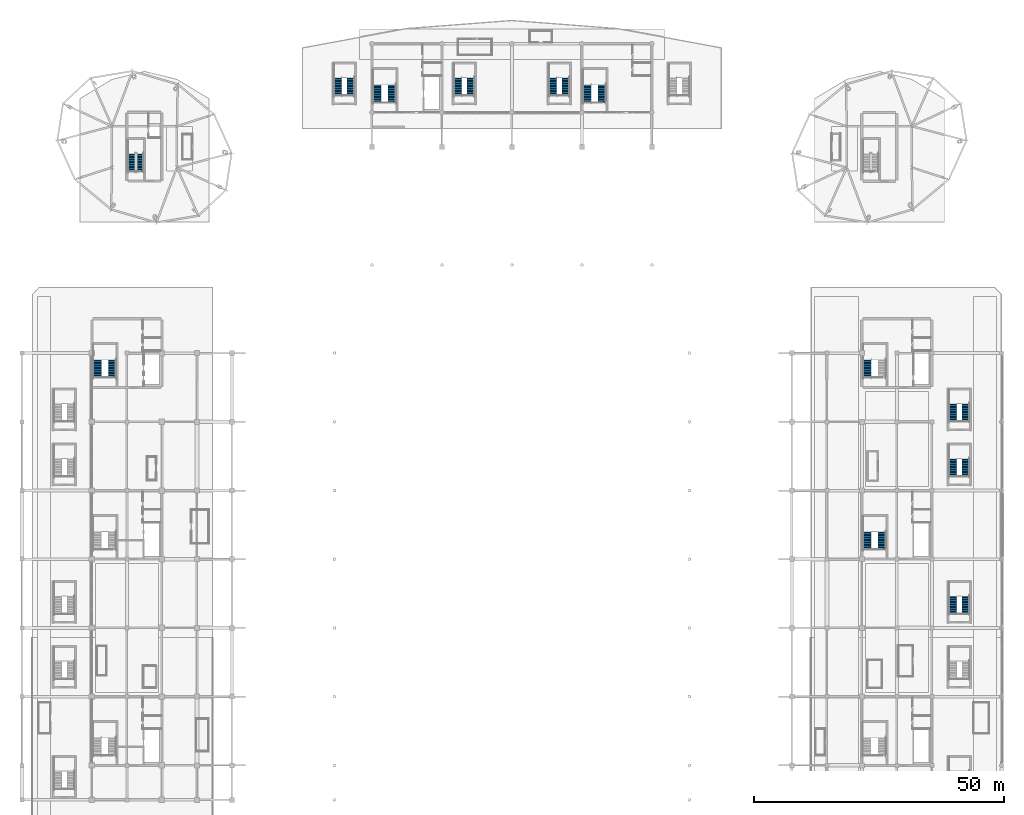
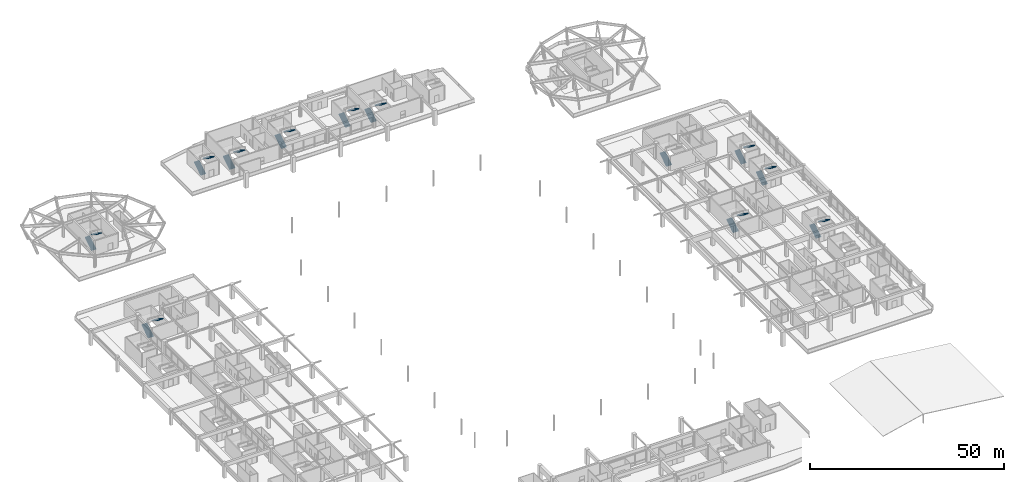
# One storey, part 77 of 91: 23 stair flights, 12 elements without a shape of their own.
"""IFC4 building model written with IfcOpenShell, lengths in metres."""

from ifc_helpers import new_model, si_unit, direction, frame, origin, place, context, subcontext, project, spatial, polyline, outline, extrude, material, type_object, element, aggregate, save


model = new_model("IFC4")

# Units and contexts
model_context = context("Model", 3, precision=1e-05, world=origin(), true_north=direction((0.0, 1.0)))
body_context = subcontext(model_context, "Body", "Model", "MODEL_VIEW")
ifc_project = project(units=[si_unit("LENGTHUNIT", "METRE"), si_unit("AREAUNIT", "SQUARE_METRE"), si_unit("VOLUMEUNIT", "CUBIC_METRE"), si_unit("PLANEANGLEUNIT", "RADIAN"), si_unit("MASSUNIT", "GRAM", prefix="KILO")], contexts=[model_context])

# Site, building, storey
site_placement = place(None, origin())
site = spatial("IfcSite", under=ifc_project, at=site_placement, CompositionType="ELEMENT")
building_placement = place(site_placement, origin())
building = spatial("IfcBuilding", under=site, at=building_placement, Name="Linyun Crest Stadium", CompositionType="ELEMENT")
storey_placement = place(building_placement, frame((0.0, 0.0, 11.39990234375)))
storey = spatial("IfcBuildingStorey", under=building, at=storey_placement, Name="L03", CompositionType="ELEMENT", Elevation=11.39990234375)

# Stair, stair flights
ifc_material_1 = material(Name="Concrete C40", Category="concrete")
stair_type = type_object("IfcStairType", Name="STA03", PredefinedType="HALF_TURN_STAIR", material=ifc_material_1)
stair_1_placement = place(storey_placement, origin())
stair_1 = element("IfcStair", 1, at=stair_1_placement, inside=storey, type_object=stair_type, Name="Evacuation stair STR-03-L03", PredefinedType="HALF_TURN_STAIR")
ifc_material_2 = material(Name="Concrete C40", Category="concrete")
stair_flight_type_1 = type_object("IfcStairFlightType", Name="STF01", PredefinedType="STRAIGHT", material=ifc_material_2)
stair_flight_1_placement = place(storey_placement, frame((-82.909912109375, 38.489990234375, 0.0), z_axis=(0.0, 0.0, 1.0), x_axis=(0.0, 1.0, 0.0)))
stair_flight_1 = element("IfcStairFlight", 2, at=stair_flight_1_placement, type_object=stair_flight_type_1, Name="STR-03-L03 flight 1", NumberOfRisers=15, NumberOfTreads=14, PredefinedType="STRAIGHT", RiserHeight=0.16, TreadLength=0.25, context=body_context, shape_type="SweptSolid", body=[
    extrude(outline(polyline([(0.0, 0.0), (0.0, 0.159912109375), (0.25, 0.159912109375), (0.25, 0.320068359375), (0.5, 0.320068359375), (0.5, 0.47998046875), (0.75, 0.47998046875), (0.75, 0.639892578125), (1.0, 0.639892578125), (1.0, 0.800048828125), (1.25, 0.800048828125), (1.25, 0.9599609375), (1.5, 0.9599609375), (1.5, 1.1201171875), (1.75, 1.1201171875), (1.75, 1.280029296875), (2.0, 1.280029296875), (2.0, 1.43994140625), (2.25, 1.43994140625), (2.25, 1.60009765625), (2.5, 1.60009765625), (2.5, 1.760009765625), (2.75, 1.760009765625), (2.75, 1.919921875), (3.0, 1.919921875), (3.0, 2.080078125), (3.25, 2.080078125), (3.25, 2.239990234375), (3.5, 2.239990234375), (3.5, 2.39990234375), (3.5, 2.0263671875), (0.333740234375, 0.0), (0.0, 0.0)])), frame((0.0, 0.824951171875, 0.0), z_axis=(0.0, -1.0, 0.0), x_axis=(1.0, 0.0, 0.0)), (0.0, 0.0, 1.0), 1.64990234375),
])
stair_flight_2_placement = place(storey_placement, frame((-79.965087890625, 41.989990234375, 2.400146484375), z_axis=(0.0, 0.0, 1.0), x_axis=(0.0, -1.0, 0.0)))
stair_flight_2 = element("IfcStairFlight", 3, at=stair_flight_2_placement, type_object=stair_flight_type_1, Name="STR-03-L03 flight 2", NumberOfRisers=15, NumberOfTreads=14, PredefinedType="STRAIGHT", RiserHeight=0.16, TreadLength=0.25, context=body_context, shape_type="SweptSolid", body=[
    extrude(outline(polyline([(0.0, 0.0), (0.0, 0.159912109375), (0.25, 0.159912109375), (0.25, 0.320068359375), (0.5, 0.320068359375), (0.5, 0.47998046875), (0.75, 0.47998046875), (0.75, 0.639892578125), (1.0, 0.639892578125), (1.0, 0.800048828125), (1.25, 0.800048828125), (1.25, 0.9599609375), (1.5, 0.9599609375), (1.5, 1.1201171875), (1.75, 1.1201171875), (1.75, 1.280029296875), (2.0, 1.280029296875), (2.0, 1.43994140625), (2.25, 1.43994140625), (2.25, 1.60009765625), (2.5, 1.60009765625), (2.5, 1.760009765625), (2.75, 1.760009765625), (2.75, 1.919921875), (3.0, 1.919921875), (3.0, 2.080078125), (3.25, 2.080078125), (3.25, 2.239990234375), (3.5, 2.239990234375), (3.5, 2.39990234375), (3.5, 2.0263671875), (0.333740234375, 0.0), (0.0, 0.0)])), frame((0.0, 0.824951171875, 0.0), z_axis=(0.0, -1.0, 0.0), x_axis=(1.0, 0.0, 0.0)), (0.0, 0.0, 1.0), 1.64990234375),
])
aggregate(stair_1, [stair_flight_1, stair_flight_2])

stair_2_placement = place(storey_placement, origin())
stair_2 = element("IfcStair", 4, at=stair_2_placement, inside=storey, type_object=stair_type, Name="Evacuation stair STR-05-L03", PredefinedType="HALF_TURN_STAIR")
stair_flight_3_placement = place(storey_placement, frame((71.06494140625, 4.114990234375, 0.0), z_axis=(0.0, 0.0, 1.0), x_axis=(0.0, 1.0, 0.0)))
stair_flight_3 = element("IfcStairFlight", 5, at=stair_flight_3_placement, type_object=stair_flight_type_1, Name="STR-05-L03 flight 1", NumberOfRisers=15, NumberOfTreads=14, PredefinedType="STRAIGHT", RiserHeight=0.16, TreadLength=0.25, context=body_context, shape_type="SweptSolid", body=[
    extrude(outline(polyline([(0.0, 0.0), (0.0, 0.159912109375), (0.25, 0.159912109375), (0.25, 0.320068359375), (0.5, 0.320068359375), (0.5, 0.47998046875), (0.75, 0.47998046875), (0.75, 0.639892578125), (1.0, 0.639892578125), (1.0, 0.800048828125), (1.25, 0.800048828125), (1.25, 0.9599609375), (1.5, 0.9599609375), (1.5, 1.1201171875), (1.75, 1.1201171875), (1.75, 1.280029296875), (2.0, 1.280029296875), (2.0, 1.43994140625), (2.25, 1.43994140625), (2.25, 1.60009765625), (2.5, 1.60009765625), (2.5, 1.760009765625), (2.75, 1.760009765625), (2.75, 1.919921875), (3.0, 1.919921875), (3.0, 2.080078125), (3.25, 2.080078125), (3.25, 2.239990234375), (3.5, 2.239990234375), (3.5, 2.39990234375), (3.5, 2.0263671875), (0.333740234375, 0.0), (0.0, 0.0)])), frame((0.0, 0.824951171875, 0.0), z_axis=(0.0, -1.0, 0.0), x_axis=(1.0, 0.0, 0.0)), (0.0, 0.0, 1.0), 1.64990234375),
])
stair_flight_4_placement = place(storey_placement, frame((74.034912109375, 7.614990234375, 2.400146484375), z_axis=(0.0, 0.0, 1.0), x_axis=(0.0, -1.0, 0.0)))
stair_flight_4 = element("IfcStairFlight", 6, at=stair_flight_4_placement, type_object=stair_flight_type_1, Name="STR-05-L03 flight 2", NumberOfRisers=15, NumberOfTreads=14, PredefinedType="STRAIGHT", RiserHeight=0.16, TreadLength=0.25, context=body_context, shape_type="SweptSolid", body=[
    extrude(outline(polyline([(0.0, 0.0), (0.0, 0.159912109375), (0.25, 0.159912109375), (0.25, 0.320068359375), (0.5, 0.320068359375), (0.5, 0.47998046875), (0.75, 0.47998046875), (0.75, 0.639892578125), (1.0, 0.639892578125), (1.0, 0.800048828125), (1.25, 0.800048828125), (1.25, 0.9599609375), (1.5, 0.9599609375), (1.5, 1.1201171875), (1.75, 1.1201171875), (1.75, 1.280029296875), (2.0, 1.280029296875), (2.0, 1.43994140625), (2.25, 1.43994140625), (2.25, 1.60009765625), (2.5, 1.60009765625), (2.5, 1.760009765625), (2.75, 1.760009765625), (2.75, 1.919921875), (3.0, 1.919921875), (3.0, 2.080078125), (3.25, 2.080078125), (3.25, 2.239990234375), (3.5, 2.239990234375), (3.5, 2.39990234375), (3.5, 2.0263671875), (0.333740234375, 0.0), (0.0, 0.0)])), frame((0.0, 0.824951171875, 0.0), z_axis=(0.0, -1.0, 0.0), x_axis=(1.0, 0.0, 0.0)), (0.0, 0.0, 1.0), 1.64990234375),
])
aggregate(stair_2, [stair_flight_3, stair_flight_4])

# Stair, stair flight
stair_3_placement = place(storey_placement, origin())
stair_3 = element("IfcStair", 7, at=stair_3_placement, inside=storey, type_object=stair_type, Name="Evacuation stair STR-06-L03", PredefinedType="HALF_TURN_STAIR")
stair_flight_5_placement = place(storey_placement, frame((71.090087890625, 38.489990234375, 0.0), z_axis=(0.0, 0.0, 1.0), x_axis=(0.0, 1.0, 0.0)))
stair_flight_5 = element("IfcStairFlight", 8, at=stair_flight_5_placement, type_object=stair_flight_type_1, Name="STR-06-L03 flight 1", NumberOfRisers=15, NumberOfTreads=14, PredefinedType="STRAIGHT", RiserHeight=0.16, TreadLength=0.25, context=body_context, shape_type="SweptSolid", body=[
    extrude(outline(polyline([(0.0, 0.0), (0.0, 0.159912109375), (0.25, 0.159912109375), (0.25, 0.320068359375), (0.5, 0.320068359375), (0.5, 0.47998046875), (0.75, 0.47998046875), (0.75, 0.639892578125), (1.0, 0.639892578125), (1.0, 0.800048828125), (1.25, 0.800048828125), (1.25, 0.9599609375), (1.5, 0.9599609375), (1.5, 1.1201171875), (1.75, 1.1201171875), (1.75, 1.280029296875), (2.0, 1.280029296875), (2.0, 1.43994140625), (2.25, 1.43994140625), (2.25, 1.60009765625), (2.5, 1.60009765625), (2.5, 1.760009765625), (2.75, 1.760009765625), (2.75, 1.919921875), (3.0, 1.919921875), (3.0, 2.080078125), (3.25, 2.080078125), (3.25, 2.239990234375), (3.5, 2.239990234375), (3.5, 2.39990234375), (3.5, 2.0263671875), (0.333740234375, 0.0), (0.0, 0.0)])), frame((0.0, 0.824951171875, 0.0), z_axis=(0.0, -1.0, 0.0), x_axis=(1.0, 0.0, 0.0)), (0.0, 0.0, 1.0), 1.64990234375),
])
aggregate(stair_3, [stair_flight_5])

# Stair, stair flights
stair_4_placement = place(storey_placement, origin())
stair_4 = element("IfcStair", 9, at=stair_4_placement, inside=storey, type_object=stair_type, Name="Evacuation stair STR-07-L03", PredefinedType="HALF_TURN_STAIR")
stair_flight_6_placement = place(storey_placement, frame((-26.9599609375, 93.489990234375, 0.0), z_axis=(0.0, 0.0, 1.0), x_axis=(0.0, 1.0, 0.0)))
stair_flight_6 = element("IfcStairFlight", 10, at=stair_flight_6_placement, type_object=stair_flight_type_1, Name="STR-07-L03 flight 1", NumberOfRisers=15, NumberOfTreads=14, PredefinedType="STRAIGHT", RiserHeight=0.16, TreadLength=0.25, context=body_context, shape_type="SweptSolid", body=[
    extrude(outline(polyline([(0.0, 0.0), (0.0, 0.159912109375), (0.25, 0.159912109375), (0.25, 0.320068359375), (0.5, 0.320068359375), (0.5, 0.47998046875), (0.75, 0.47998046875), (0.75, 0.639892578125), (1.0, 0.639892578125), (1.0, 0.800048828125), (1.25, 0.800048828125), (1.25, 0.9599609375), (1.5, 0.9599609375), (1.5, 1.1201171875), (1.75, 1.1201171875), (1.75, 1.280029296875), (2.0, 1.280029296875), (2.0, 1.43994140625), (2.25, 1.43994140625), (2.25, 1.60009765625), (2.5, 1.60009765625), (2.5, 1.760009765625), (2.75, 1.760009765625), (2.75, 1.919921875), (3.0, 1.919921875), (3.0, 2.080078125), (3.25, 2.080078125), (3.25, 2.239990234375), (3.5, 2.239990234375), (3.5, 2.39990234375), (3.5, 2.0263671875), (0.333740234375, 0.0), (0.0, 0.0)])), frame((0.0, 0.824951171875, 0.0), z_axis=(0.0, -1.0, 0.0), x_axis=(1.0, 0.0, 0.0)), (0.0, 0.0, 1.0), 1.64990234375),
])
stair_flight_7_placement = place(storey_placement, frame((-23.965087890625, 96.989990234375, 2.400146484375), z_axis=(0.0, 0.0, 1.0), x_axis=(0.0, -1.0, 0.0)))
stair_flight_7 = element("IfcStairFlight", 11, at=stair_flight_7_placement, type_object=stair_flight_type_1, Name="STR-07-L03 flight 2", NumberOfRisers=15, NumberOfTreads=14, PredefinedType="STRAIGHT", RiserHeight=0.16, TreadLength=0.25, context=body_context, shape_type="SweptSolid", body=[
    extrude(outline(polyline([(0.0, 0.0), (0.0, 0.159912109375), (0.25, 0.159912109375), (0.25, 0.320068359375), (0.5, 0.320068359375), (0.5, 0.47998046875), (0.75, 0.47998046875), (0.75, 0.639892578125), (1.0, 0.639892578125), (1.0, 0.800048828125), (1.25, 0.800048828125), (1.25, 0.9599609375), (1.5, 0.9599609375), (1.5, 1.1201171875), (1.75, 1.1201171875), (1.75, 1.280029296875), (2.0, 1.280029296875), (2.0, 1.43994140625), (2.25, 1.43994140625), (2.25, 1.60009765625), (2.5, 1.60009765625), (2.5, 1.760009765625), (2.75, 1.760009765625), (2.75, 1.919921875), (3.0, 1.919921875), (3.0, 2.080078125), (3.25, 2.080078125), (3.25, 2.239990234375), (3.5, 2.239990234375), (3.5, 2.39990234375), (3.5, 2.0263671875), (0.333740234375, 0.0), (0.0, 0.0)])), frame((0.0, 0.824951171875, 0.0), z_axis=(0.0, -1.0, 0.0), x_axis=(1.0, 0.0, 0.0)), (0.0, 0.0, 1.0), 1.64990234375),
])
aggregate(stair_4, [stair_flight_6, stair_flight_7])

stair_5_placement = place(storey_placement, origin())
stair_5 = element("IfcStair", 12, at=stair_5_placement, inside=storey, type_object=stair_type, Name="Evacuation stair STR-08-L03", PredefinedType="HALF_TURN_STAIR")
stair_flight_8_placement = place(storey_placement, frame((15.06494140625, 93.489990234375, 0.0), z_axis=(0.0, 0.0, 1.0), x_axis=(0.0, 1.0, 0.0)))
stair_flight_8 = element("IfcStairFlight", 13, at=stair_flight_8_placement, type_object=stair_flight_type_1, Name="STR-08-L03 flight 1", NumberOfRisers=15, NumberOfTreads=14, PredefinedType="STRAIGHT", RiserHeight=0.16, TreadLength=0.25, context=body_context, shape_type="SweptSolid", body=[
    extrude(outline(polyline([(0.0, 0.0), (0.0, 0.159912109375), (0.25, 0.159912109375), (0.25, 0.320068359375), (0.5, 0.320068359375), (0.5, 0.47998046875), (0.75, 0.47998046875), (0.75, 0.639892578125), (1.0, 0.639892578125), (1.0, 0.800048828125), (1.25, 0.800048828125), (1.25, 0.9599609375), (1.5, 0.9599609375), (1.5, 1.1201171875), (1.75, 1.1201171875), (1.75, 1.280029296875), (2.0, 1.280029296875), (2.0, 1.43994140625), (2.25, 1.43994140625), (2.25, 1.60009765625), (2.5, 1.60009765625), (2.5, 1.760009765625), (2.75, 1.760009765625), (2.75, 1.919921875), (3.0, 1.919921875), (3.0, 2.080078125), (3.25, 2.080078125), (3.25, 2.239990234375), (3.5, 2.239990234375), (3.5, 2.39990234375), (3.5, 2.0263671875), (0.333740234375, 0.0), (0.0, 0.0)])), frame((0.0, 0.824951171875, 0.0), z_axis=(0.0, -1.0, 0.0), x_axis=(1.0, 0.0, 0.0)), (0.0, 0.0, 1.0), 1.64990234375),
])
stair_flight_9_placement = place(storey_placement, frame((18.034912109375, 96.989990234375, 2.400146484375), z_axis=(0.0, 0.0, 1.0), x_axis=(0.0, -1.0, 0.0)))
stair_flight_9 = element("IfcStairFlight", 14, at=stair_flight_9_placement, type_object=stair_flight_type_1, Name="STR-08-L03 flight 2", NumberOfRisers=15, NumberOfTreads=14, PredefinedType="STRAIGHT", RiserHeight=0.16, TreadLength=0.25, context=body_context, shape_type="SweptSolid", body=[
    extrude(outline(polyline([(0.0, 0.0), (0.0, 0.159912109375), (0.25, 0.159912109375), (0.25, 0.320068359375), (0.5, 0.320068359375), (0.5, 0.47998046875), (0.75, 0.47998046875), (0.75, 0.639892578125), (1.0, 0.639892578125), (1.0, 0.800048828125), (1.25, 0.800048828125), (1.25, 0.9599609375), (1.5, 0.9599609375), (1.5, 1.1201171875), (1.75, 1.1201171875), (1.75, 1.280029296875), (2.0, 1.280029296875), (2.0, 1.43994140625), (2.25, 1.43994140625), (2.25, 1.60009765625), (2.5, 1.60009765625), (2.5, 1.760009765625), (2.75, 1.760009765625), (2.75, 1.919921875), (3.0, 1.919921875), (3.0, 2.080078125), (3.25, 2.080078125), (3.25, 2.239990234375), (3.5, 2.239990234375), (3.5, 2.39990234375), (3.5, 2.0263671875), (0.333740234375, 0.0), (0.0, 0.0)])), frame((0.0, 0.824951171875, 0.0), z_axis=(0.0, -1.0, 0.0), x_axis=(1.0, 0.0, 0.0)), (0.0, 0.0, 1.0), 1.64990234375),
])
aggregate(stair_5, [stair_flight_8, stair_flight_9])

stair_6_placement = place(storey_placement, origin())
stair_6 = element("IfcStair", 15, at=stair_6_placement, inside=storey, type_object=stair_type, Name="Vomitory evacuation stair STR-20-L03", PredefinedType="HALF_TURN_STAIR")
ifc_material_3 = material(Name="Concrete C40", Category="concrete")
stair_flight_type_2 = type_object("IfcStairFlightType", Name="STF02", PredefinedType="STRAIGHT", material=ifc_material_3)
stair_flight_10_placement = place(storey_placement, frame((88.215087890625, -8.780029296875, 0.0), z_axis=(0.0, 0.0, 1.0), x_axis=(0.0, 1.0, 0.0)))
stair_flight_10 = element("IfcStairFlight", 16, at=stair_flight_10_placement, type_object=stair_flight_type_2, Name="STR-20-L03 flight 1", NumberOfRisers=15, NumberOfTreads=14, PredefinedType="STRAIGHT", RiserHeight=0.16, TreadLength=0.25, context=body_context, shape_type="SweptSolid", body=[
    extrude(outline(polyline([(0.0, 0.0), (0.0, 0.159912109375), (0.25, 0.159912109375), (0.25, 0.320068359375), (0.5, 0.320068359375), (0.5, 0.47998046875), (0.75, 0.47998046875), (0.75, 0.639892578125), (1.0, 0.639892578125), (1.0, 0.800048828125), (1.25, 0.800048828125), (1.25, 0.9599609375), (1.5, 0.9599609375), (1.5, 1.1201171875), (1.75, 1.1201171875), (1.75, 1.280029296875), (2.0, 1.280029296875), (2.0, 1.43994140625), (2.25, 1.43994140625), (2.25, 1.60009765625), (2.5, 1.60009765625), (2.5, 1.760009765625), (2.75, 1.760009765625), (2.75, 1.919921875), (3.0, 1.919921875), (3.0, 2.080078125), (3.25, 2.080078125), (3.25, 2.239990234375), (3.5, 2.239990234375), (3.5, 2.39990234375), (3.5, 2.0263671875), (0.333740234375, 0.0), (0.0, 0.0)])), frame((0.0, 0.77490234375, 0.0), z_axis=(0.0, -1.0, 0.0), x_axis=(1.0, 0.0, 0.0)), (0.0, 0.0, 1.0), 1.550048828125),
])
stair_flight_11_placement = place(storey_placement, frame((90.784912109375, -5.280029296875, 2.400146484375), z_axis=(0.0, 0.0, 1.0), x_axis=(0.0, -1.0, 0.0)))
stair_flight_11 = element("IfcStairFlight", 17, at=stair_flight_11_placement, type_object=stair_flight_type_2, Name="STR-20-L03 flight 2", NumberOfRisers=15, NumberOfTreads=14, PredefinedType="STRAIGHT", RiserHeight=0.16, TreadLength=0.25, context=body_context, shape_type="SweptSolid", body=[
    extrude(outline(polyline([(0.0, 0.0), (0.0, 0.159912109375), (0.25, 0.159912109375), (0.25, 0.320068359375), (0.5, 0.320068359375), (0.5, 0.47998046875), (0.75, 0.47998046875), (0.75, 0.639892578125), (1.0, 0.639892578125), (1.0, 0.800048828125), (1.25, 0.800048828125), (1.25, 0.9599609375), (1.5, 0.9599609375), (1.5, 1.1201171875), (1.75, 1.1201171875), (1.75, 1.280029296875), (2.0, 1.280029296875), (2.0, 1.43994140625), (2.25, 1.43994140625), (2.25, 1.60009765625), (2.5, 1.60009765625), (2.5, 1.760009765625), (2.75, 1.760009765625), (2.75, 1.919921875), (3.0, 1.919921875), (3.0, 2.080078125), (3.25, 2.080078125), (3.25, 2.239990234375), (3.5, 2.239990234375), (3.5, 2.39990234375), (3.5, 2.0263671875), (0.333740234375, 0.0), (0.0, 0.0)])), frame((0.0, 0.77490234375, 0.0), z_axis=(0.0, -1.0, 0.0), x_axis=(1.0, 0.0, 0.0)), (0.0, 0.0, 1.0), 1.550048828125),
])
aggregate(stair_6, [stair_flight_10, stair_flight_11])

stair_7_placement = place(storey_placement, origin())
stair_7 = element("IfcStair", 18, at=stair_7_placement, inside=storey, type_object=stair_type, Name="Vomitory evacuation stair STR-21-L03", PredefinedType="HALF_TURN_STAIR")
stair_flight_12_placement = place(storey_placement, frame((88.215087890625, 18.719970703125, 0.0), z_axis=(0.0, 0.0, 1.0), x_axis=(0.0, 1.0, 0.0)))
stair_flight_12 = element("IfcStairFlight", 19, at=stair_flight_12_placement, type_object=stair_flight_type_2, Name="STR-21-L03 flight 1", NumberOfRisers=15, NumberOfTreads=14, PredefinedType="STRAIGHT", RiserHeight=0.16, TreadLength=0.25, context=body_context, shape_type="SweptSolid", body=[
    extrude(outline(polyline([(0.0, 0.0), (0.0, 0.159912109375), (0.25, 0.159912109375), (0.25, 0.320068359375), (0.5, 0.320068359375), (0.5, 0.47998046875), (0.75, 0.47998046875), (0.75, 0.639892578125), (1.0, 0.639892578125), (1.0, 0.800048828125), (1.25, 0.800048828125), (1.25, 0.9599609375), (1.5, 0.9599609375), (1.5, 1.1201171875), (1.75, 1.1201171875), (1.75, 1.280029296875), (2.0, 1.280029296875), (2.0, 1.43994140625), (2.25, 1.43994140625), (2.25, 1.60009765625), (2.5, 1.60009765625), (2.5, 1.760009765625), (2.75, 1.760009765625), (2.75, 1.919921875), (3.0, 1.919921875), (3.0, 2.080078125), (3.25, 2.080078125), (3.25, 2.239990234375), (3.5, 2.239990234375), (3.5, 2.39990234375), (3.5, 2.0263671875), (0.333740234375, 0.0), (0.0, 0.0)])), frame((0.0, 0.77490234375, 0.0), z_axis=(0.0, -1.0, 0.0), x_axis=(1.0, 0.0, 0.0)), (0.0, 0.0, 1.0), 1.550048828125),
])
stair_flight_13_placement = place(storey_placement, frame((90.784912109375, 22.219970703125, 2.400146484375), z_axis=(0.0, 0.0, 1.0), x_axis=(0.0, -1.0, 0.0)))
stair_flight_13 = element("IfcStairFlight", 20, at=stair_flight_13_placement, type_object=stair_flight_type_2, Name="STR-21-L03 flight 2", NumberOfRisers=15, NumberOfTreads=14, PredefinedType="STRAIGHT", RiserHeight=0.16, TreadLength=0.25, context=body_context, shape_type="SweptSolid", body=[
    extrude(outline(polyline([(0.0, 0.0), (0.0, 0.159912109375), (0.25, 0.159912109375), (0.25, 0.320068359375), (0.5, 0.320068359375), (0.5, 0.47998046875), (0.75, 0.47998046875), (0.75, 0.639892578125), (1.0, 0.639892578125), (1.0, 0.800048828125), (1.25, 0.800048828125), (1.25, 0.9599609375), (1.5, 0.9599609375), (1.5, 1.1201171875), (1.75, 1.1201171875), (1.75, 1.280029296875), (2.0, 1.280029296875), (2.0, 1.43994140625), (2.25, 1.43994140625), (2.25, 1.60009765625), (2.5, 1.60009765625), (2.5, 1.760009765625), (2.75, 1.760009765625), (2.75, 1.919921875), (3.0, 1.919921875), (3.0, 2.080078125), (3.25, 2.080078125), (3.25, 2.239990234375), (3.5, 2.239990234375), (3.5, 2.39990234375), (3.5, 2.0263671875), (0.333740234375, 0.0), (0.0, 0.0)])), frame((0.0, 0.77490234375, 0.0), z_axis=(0.0, -1.0, 0.0), x_axis=(1.0, 0.0, 0.0)), (0.0, 0.0, 1.0), 1.550048828125),
])
aggregate(stair_7, [stair_flight_12, stair_flight_13])

stair_8_placement = place(storey_placement, origin())
stair_8 = element("IfcStair", 21, at=stair_8_placement, inside=storey, type_object=stair_type, Name="Vomitory evacuation stair STR-22-L03", PredefinedType="HALF_TURN_STAIR")
stair_flight_14_placement = place(storey_placement, frame((88.215087890625, 29.719970703125, 0.0), z_axis=(0.0, 0.0, 1.0), x_axis=(0.0, 1.0, 0.0)))
stair_flight_14 = element("IfcStairFlight", 22, at=stair_flight_14_placement, type_object=stair_flight_type_2, Name="STR-22-L03 flight 1", NumberOfRisers=15, NumberOfTreads=14, PredefinedType="STRAIGHT", RiserHeight=0.16, TreadLength=0.25, context=body_context, shape_type="SweptSolid", body=[
    extrude(outline(polyline([(0.0, 0.0), (0.0, 0.159912109375), (0.25, 0.159912109375), (0.25, 0.320068359375), (0.5, 0.320068359375), (0.5, 0.47998046875), (0.75, 0.47998046875), (0.75, 0.639892578125), (1.0, 0.639892578125), (1.0, 0.800048828125), (1.25, 0.800048828125), (1.25, 0.9599609375), (1.5, 0.9599609375), (1.5, 1.1201171875), (1.75, 1.1201171875), (1.75, 1.280029296875), (2.0, 1.280029296875), (2.0, 1.43994140625), (2.25, 1.43994140625), (2.25, 1.60009765625), (2.5, 1.60009765625), (2.5, 1.760009765625), (2.75, 1.760009765625), (2.75, 1.919921875), (3.0, 1.919921875), (3.0, 2.080078125), (3.25, 2.080078125), (3.25, 2.239990234375), (3.5, 2.239990234375), (3.5, 2.39990234375), (3.5, 2.0263671875), (0.333740234375, 0.0), (0.0, 0.0)])), frame((0.0, 0.77490234375, 0.0), z_axis=(0.0, -1.0, 0.0), x_axis=(1.0, 0.0, 0.0)), (0.0, 0.0, 1.0), 1.550048828125),
])
stair_flight_15_placement = place(storey_placement, frame((90.784912109375, 33.219970703125, 2.400146484375), z_axis=(0.0, 0.0, 1.0), x_axis=(0.0, -1.0, 0.0)))
stair_flight_15 = element("IfcStairFlight", 23, at=stair_flight_15_placement, type_object=stair_flight_type_2, Name="STR-22-L03 flight 2", NumberOfRisers=15, NumberOfTreads=14, PredefinedType="STRAIGHT", RiserHeight=0.16, TreadLength=0.25, context=body_context, shape_type="SweptSolid", body=[
    extrude(outline(polyline([(0.0, 0.0), (0.0, 0.159912109375), (0.25, 0.159912109375), (0.25, 0.320068359375), (0.5, 0.320068359375), (0.5, 0.47998046875), (0.75, 0.47998046875), (0.75, 0.639892578125), (1.0, 0.639892578125), (1.0, 0.800048828125), (1.25, 0.800048828125), (1.25, 0.9599609375), (1.5, 0.9599609375), (1.5, 1.1201171875), (1.75, 1.1201171875), (1.75, 1.280029296875), (2.0, 1.280029296875), (2.0, 1.43994140625), (2.25, 1.43994140625), (2.25, 1.60009765625), (2.5, 1.60009765625), (2.5, 1.760009765625), (2.75, 1.760009765625), (2.75, 1.919921875), (3.0, 1.919921875), (3.0, 2.080078125), (3.25, 2.080078125), (3.25, 2.239990234375), (3.5, 2.239990234375), (3.5, 2.39990234375), (3.5, 2.0263671875), (0.333740234375, 0.0), (0.0, 0.0)])), frame((0.0, 0.77490234375, 0.0), z_axis=(0.0, -1.0, 0.0), x_axis=(1.0, 0.0, 0.0)), (0.0, 0.0, 1.0), 1.550048828125),
])
aggregate(stair_8, [stair_flight_14, stair_flight_15])

stair_9_placement = place(storey_placement, origin())
stair_9 = element("IfcStair", 24, at=stair_9_placement, inside=storey, type_object=stair_type, Name="Vomitory evacuation stair STR-23-L03", PredefinedType="HALF_TURN_STAIR")
stair_flight_16_placement = place(storey_placement, frame((-34.784912109375, 94.919921875, 0.0), z_axis=(0.0, 0.0, 1.0), x_axis=(0.0, 1.0, 0.0)))
stair_flight_16 = element("IfcStairFlight", 25, at=stair_flight_16_placement, type_object=stair_flight_type_2, Name="STR-23-L03 flight 1", NumberOfRisers=15, NumberOfTreads=14, PredefinedType="STRAIGHT", RiserHeight=0.16, TreadLength=0.25, context=body_context, shape_type="SweptSolid", body=[
    extrude(outline(polyline([(0.0, 0.0), (0.0, 0.159912109375), (0.25, 0.159912109375), (0.25, 0.320068359375), (0.5, 0.320068359375), (0.5, 0.47998046875), (0.75, 0.47998046875), (0.75, 0.639892578125), (1.0, 0.639892578125), (1.0, 0.800048828125), (1.25, 0.800048828125), (1.25, 0.9599609375), (1.5, 0.9599609375), (1.5, 1.1201171875), (1.75, 1.1201171875), (1.75, 1.280029296875), (2.0, 1.280029296875), (2.0, 1.43994140625), (2.25, 1.43994140625), (2.25, 1.60009765625), (2.5, 1.60009765625), (2.5, 1.760009765625), (2.75, 1.760009765625), (2.75, 1.919921875), (3.0, 1.919921875), (3.0, 2.080078125), (3.25, 2.080078125), (3.25, 2.239990234375), (3.5, 2.239990234375), (3.5, 2.39990234375), (3.5, 2.0263671875), (0.333740234375, 0.0), (0.0, 0.0)])), frame((0.0, 0.77490234375, 0.0), z_axis=(0.0, -1.0, 0.0), x_axis=(1.0, 0.0, 0.0)), (0.0, 0.0, 1.0), 1.550048828125),
])
stair_flight_17_placement = place(storey_placement, frame((-32.215087890625, 98.419921875, 2.400146484375), z_axis=(0.0, 0.0, 1.0), x_axis=(0.0, -1.0, 0.0)))
stair_flight_17 = element("IfcStairFlight", 26, at=stair_flight_17_placement, type_object=stair_flight_type_2, Name="STR-23-L03 flight 2", NumberOfRisers=15, NumberOfTreads=14, PredefinedType="STRAIGHT", RiserHeight=0.16, TreadLength=0.25, context=body_context, shape_type="SweptSolid", body=[
    extrude(outline(polyline([(0.0, 0.0), (0.0, 0.159912109375), (0.25, 0.159912109375), (0.25, 0.320068359375), (0.5, 0.320068359375), (0.5, 0.47998046875), (0.75, 0.47998046875), (0.75, 0.639892578125), (1.0, 0.639892578125), (1.0, 0.800048828125), (1.25, 0.800048828125), (1.25, 0.9599609375), (1.5, 0.9599609375), (1.5, 1.1201171875), (1.75, 1.1201171875), (1.75, 1.280029296875), (2.0, 1.280029296875), (2.0, 1.43994140625), (2.25, 1.43994140625), (2.25, 1.60009765625), (2.5, 1.60009765625), (2.5, 1.760009765625), (2.75, 1.760009765625), (2.75, 1.919921875), (3.0, 1.919921875), (3.0, 2.080078125), (3.25, 2.080078125), (3.25, 2.239990234375), (3.5, 2.239990234375), (3.5, 2.39990234375), (3.5, 2.0263671875), (0.333740234375, 0.0), (0.0, 0.0)])), frame((0.0, 0.77490234375, 0.0), z_axis=(0.0, -1.0, 0.0), x_axis=(1.0, 0.0, 0.0)), (0.0, 0.0, 1.0), 1.550048828125),
])
aggregate(stair_9, [stair_flight_16, stair_flight_17])

stair_10_placement = place(storey_placement, origin())
stair_10 = element("IfcStair", 27, at=stair_10_placement, inside=storey, type_object=stair_type, Name="Vomitory evacuation stair STR-24-L03", PredefinedType="HALF_TURN_STAIR")
stair_flight_18_placement = place(storey_placement, frame((-10.784912109375, 94.919921875, 0.0), z_axis=(0.0, 0.0, 1.0), x_axis=(0.0, 1.0, 0.0)))
stair_flight_18 = element("IfcStairFlight", 28, at=stair_flight_18_placement, type_object=stair_flight_type_2, Name="STR-24-L03 flight 1", NumberOfRisers=15, NumberOfTreads=14, PredefinedType="STRAIGHT", RiserHeight=0.16, TreadLength=0.25, context=body_context, shape_type="SweptSolid", body=[
    extrude(outline(polyline([(0.0, 0.0), (0.0, 0.159912109375), (0.25, 0.159912109375), (0.25, 0.320068359375), (0.5, 0.320068359375), (0.5, 0.47998046875), (0.75, 0.47998046875), (0.75, 0.639892578125), (1.0, 0.639892578125), (1.0, 0.800048828125), (1.25, 0.800048828125), (1.25, 0.9599609375), (1.5, 0.9599609375), (1.5, 1.1201171875), (1.75, 1.1201171875), (1.75, 1.280029296875), (2.0, 1.280029296875), (2.0, 1.43994140625), (2.25, 1.43994140625), (2.25, 1.60009765625), (2.5, 1.60009765625), (2.5, 1.760009765625), (2.75, 1.760009765625), (2.75, 1.919921875), (3.0, 1.919921875), (3.0, 2.080078125), (3.25, 2.080078125), (3.25, 2.239990234375), (3.5, 2.239990234375), (3.5, 2.39990234375), (3.5, 2.0263671875), (0.333740234375, 0.0), (0.0, 0.0)])), frame((0.0, 0.77490234375, 0.0), z_axis=(0.0, -1.0, 0.0), x_axis=(1.0, 0.0, 0.0)), (0.0, 0.0, 1.0), 1.550048828125),
])
stair_flight_19_placement = place(storey_placement, frame((-8.215087890625, 98.419921875, 2.400146484375), z_axis=(0.0, 0.0, 1.0), x_axis=(0.0, -1.0, 0.0)))
stair_flight_19 = element("IfcStairFlight", 29, at=stair_flight_19_placement, type_object=stair_flight_type_2, Name="STR-24-L03 flight 2", NumberOfRisers=15, NumberOfTreads=14, PredefinedType="STRAIGHT", RiserHeight=0.16, TreadLength=0.25, context=body_context, shape_type="SweptSolid", body=[
    extrude(outline(polyline([(0.0, 0.0), (0.0, 0.159912109375), (0.25, 0.159912109375), (0.25, 0.320068359375), (0.5, 0.320068359375), (0.5, 0.47998046875), (0.75, 0.47998046875), (0.75, 0.639892578125), (1.0, 0.639892578125), (1.0, 0.800048828125), (1.25, 0.800048828125), (1.25, 0.9599609375), (1.5, 0.9599609375), (1.5, 1.1201171875), (1.75, 1.1201171875), (1.75, 1.280029296875), (2.0, 1.280029296875), (2.0, 1.43994140625), (2.25, 1.43994140625), (2.25, 1.60009765625), (2.5, 1.60009765625), (2.5, 1.760009765625), (2.75, 1.760009765625), (2.75, 1.919921875), (3.0, 1.919921875), (3.0, 2.080078125), (3.25, 2.080078125), (3.25, 2.239990234375), (3.5, 2.239990234375), (3.5, 2.39990234375), (3.5, 2.0263671875), (0.333740234375, 0.0), (0.0, 0.0)])), frame((0.0, 0.77490234375, 0.0), z_axis=(0.0, -1.0, 0.0), x_axis=(1.0, 0.0, 0.0)), (0.0, 0.0, 1.0), 1.550048828125),
])
aggregate(stair_10, [stair_flight_18, stair_flight_19])

stair_11_placement = place(storey_placement, origin())
stair_11 = element("IfcStair", 30, at=stair_11_placement, inside=storey, type_object=stair_type, Name="Vomitory evacuation stair STR-25-L03", PredefinedType="HALF_TURN_STAIR")
stair_flight_20_placement = place(storey_placement, frame((8.215087890625, 94.919921875, 0.0), z_axis=(0.0, 0.0, 1.0), x_axis=(0.0, 1.0, 0.0)))
stair_flight_20 = element("IfcStairFlight", 31, at=stair_flight_20_placement, type_object=stair_flight_type_2, Name="STR-25-L03 flight 1", NumberOfRisers=15, NumberOfTreads=14, PredefinedType="STRAIGHT", RiserHeight=0.16, TreadLength=0.25, context=body_context, shape_type="SweptSolid", body=[
    extrude(outline(polyline([(0.0, 0.0), (0.0, 0.159912109375), (0.25, 0.159912109375), (0.25, 0.320068359375), (0.5, 0.320068359375), (0.5, 0.47998046875), (0.75, 0.47998046875), (0.75, 0.639892578125), (1.0, 0.639892578125), (1.0, 0.800048828125), (1.25, 0.800048828125), (1.25, 0.9599609375), (1.5, 0.9599609375), (1.5, 1.1201171875), (1.75, 1.1201171875), (1.75, 1.280029296875), (2.0, 1.280029296875), (2.0, 1.43994140625), (2.25, 1.43994140625), (2.25, 1.60009765625), (2.5, 1.60009765625), (2.5, 1.760009765625), (2.75, 1.760009765625), (2.75, 1.919921875), (3.0, 1.919921875), (3.0, 2.080078125), (3.25, 2.080078125), (3.25, 2.239990234375), (3.5, 2.239990234375), (3.5, 2.39990234375), (3.5, 2.0263671875), (0.333740234375, 0.0), (0.0, 0.0)])), frame((0.0, 0.77490234375, 0.0), z_axis=(0.0, -1.0, 0.0), x_axis=(1.0, 0.0, 0.0)), (0.0, 0.0, 1.0), 1.550048828125),
])
stair_flight_21_placement = place(storey_placement, frame((10.784912109375, 98.419921875, 2.400146484375), z_axis=(0.0, 0.0, 1.0), x_axis=(0.0, -1.0, 0.0)))
stair_flight_21 = element("IfcStairFlight", 32, at=stair_flight_21_placement, type_object=stair_flight_type_2, Name="STR-25-L03 flight 2", NumberOfRisers=15, NumberOfTreads=14, PredefinedType="STRAIGHT", RiserHeight=0.16, TreadLength=0.25, context=body_context, shape_type="SweptSolid", body=[
    extrude(outline(polyline([(0.0, 0.0), (0.0, 0.159912109375), (0.25, 0.159912109375), (0.25, 0.320068359375), (0.5, 0.320068359375), (0.5, 0.47998046875), (0.75, 0.47998046875), (0.75, 0.639892578125), (1.0, 0.639892578125), (1.0, 0.800048828125), (1.25, 0.800048828125), (1.25, 0.9599609375), (1.5, 0.9599609375), (1.5, 1.1201171875), (1.75, 1.1201171875), (1.75, 1.280029296875), (2.0, 1.280029296875), (2.0, 1.43994140625), (2.25, 1.43994140625), (2.25, 1.60009765625), (2.5, 1.60009765625), (2.5, 1.760009765625), (2.75, 1.760009765625), (2.75, 1.919921875), (3.0, 1.919921875), (3.0, 2.080078125), (3.25, 2.080078125), (3.25, 2.239990234375), (3.5, 2.239990234375), (3.5, 2.39990234375), (3.5, 2.0263671875), (0.333740234375, 0.0), (0.0, 0.0)])), frame((0.0, 0.77490234375, 0.0), z_axis=(0.0, -1.0, 0.0), x_axis=(1.0, 0.0, 0.0)), (0.0, 0.0, 1.0), 1.550048828125),
])
aggregate(stair_11, [stair_flight_20, stair_flight_21])

stair_12_placement = place(storey_placement, origin())
stair_12 = element("IfcStair", 33, at=stair_12_placement, inside=storey, type_object=stair_type, Name="Evacuation stair STR-11-L03", PredefinedType="HALF_TURN_STAIR")
ifc_material_4 = material(Name="Concrete C40", Category="concrete")
stair_flight_type_3 = type_object("IfcStairFlightType", Name="STF03", PredefinedType="STRAIGHT", material=ifc_material_4)
stair_flight_22_placement = place(storey_placement, frame((-76.06005859375, 79.739990234375, 0.0), z_axis=(0.0, 0.0, 1.0), x_axis=(0.0, 1.0, 0.0)))
stair_flight_22 = element("IfcStairFlight", 34, at=stair_flight_22_placement, type_object=stair_flight_type_3, Name="STR-11-L03 flight 1", NumberOfRisers=15, NumberOfTreads=14, PredefinedType="STRAIGHT", RiserHeight=0.16, TreadLength=0.25, context=body_context, shape_type="SweptSolid", body=[
    extrude(outline(polyline([(0.0, 0.0), (0.0, 0.159912109375), (0.25, 0.159912109375), (0.25, 0.320068359375), (0.5, 0.320068359375), (0.5, 0.47998046875), (0.75, 0.47998046875), (0.75, 0.639892578125), (1.0, 0.639892578125), (1.0, 0.800048828125), (1.25, 0.800048828125), (1.25, 0.9599609375), (1.5, 0.9599609375), (1.5, 1.1201171875), (1.75, 1.1201171875), (1.75, 1.280029296875), (2.0, 1.280029296875), (2.0, 1.43994140625), (2.25, 1.43994140625), (2.25, 1.60009765625), (2.5, 1.60009765625), (2.5, 1.760009765625), (2.75, 1.760009765625), (2.75, 1.919921875), (3.0, 1.919921875), (3.0, 2.080078125), (3.25, 2.080078125), (3.25, 2.239990234375), (3.5, 2.239990234375), (3.5, 2.39990234375), (3.5, 2.038330078125), (0.315185546875, 0.0), (0.0, 0.0)])), frame((0.0, 0.699951171875, 0.0), z_axis=(0.0, -1.0, 0.0), x_axis=(1.0, 0.0, 0.0)), (0.0, 0.0, 1.0), 1.39990234375),
])
stair_flight_23_placement = place(storey_placement, frame((-74.340087890625, 83.239990234375, 2.400146484375), z_axis=(0.0, 0.0, 1.0), x_axis=(0.0, -1.0, 0.0)))
stair_flight_23 = element("IfcStairFlight", 35, at=stair_flight_23_placement, type_object=stair_flight_type_3, Name="STR-11-L03 flight 2", NumberOfRisers=15, NumberOfTreads=14, PredefinedType="STRAIGHT", RiserHeight=0.16, TreadLength=0.25, context=body_context, shape_type="SweptSolid", body=[
    extrude(outline(polyline([(0.0, 0.0), (0.0, 0.159912109375), (0.25, 0.159912109375), (0.25, 0.320068359375), (0.5, 0.320068359375), (0.5, 0.47998046875), (0.75, 0.47998046875), (0.75, 0.639892578125), (1.0, 0.639892578125), (1.0, 0.800048828125), (1.25, 0.800048828125), (1.25, 0.9599609375), (1.5, 0.9599609375), (1.5, 1.1201171875), (1.75, 1.1201171875), (1.75, 1.280029296875), (2.0, 1.280029296875), (2.0, 1.43994140625), (2.25, 1.43994140625), (2.25, 1.60009765625), (2.5, 1.60009765625), (2.5, 1.760009765625), (2.75, 1.760009765625), (2.75, 1.919921875), (3.0, 1.919921875), (3.0, 2.080078125), (3.25, 2.080078125), (3.25, 2.239990234375), (3.5, 2.239990234375), (3.5, 2.39990234375), (3.5, 2.038330078125), (0.315185546875, 0.0), (0.0, 0.0)])), frame((0.0, 0.699951171875, 0.0), z_axis=(0.0, -1.0, 0.0), x_axis=(1.0, 0.0, 0.0)), (0.0, 0.0, 1.0), 1.39990234375),
])
aggregate(stair_12, [stair_flight_22, stair_flight_23])

save(model, "model.ifc")
